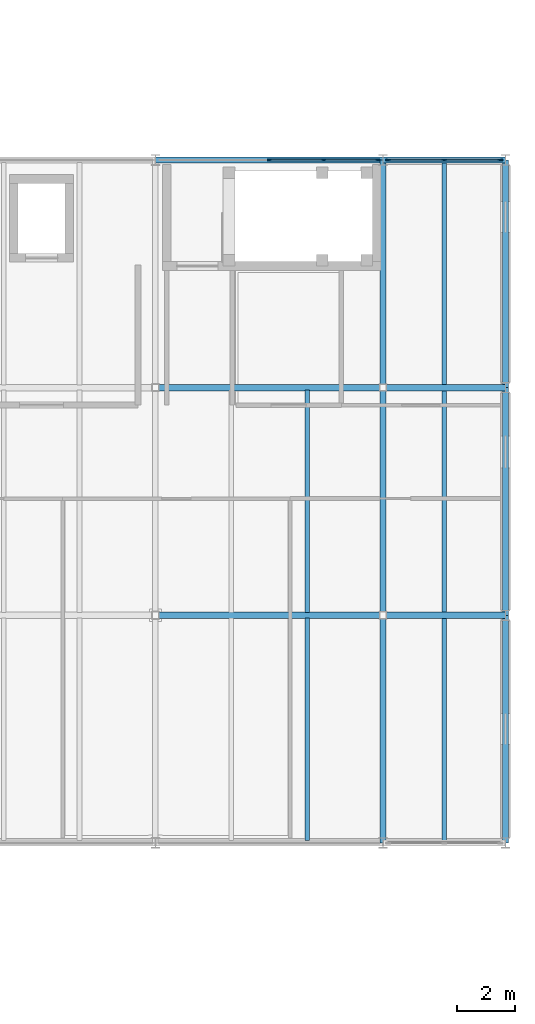
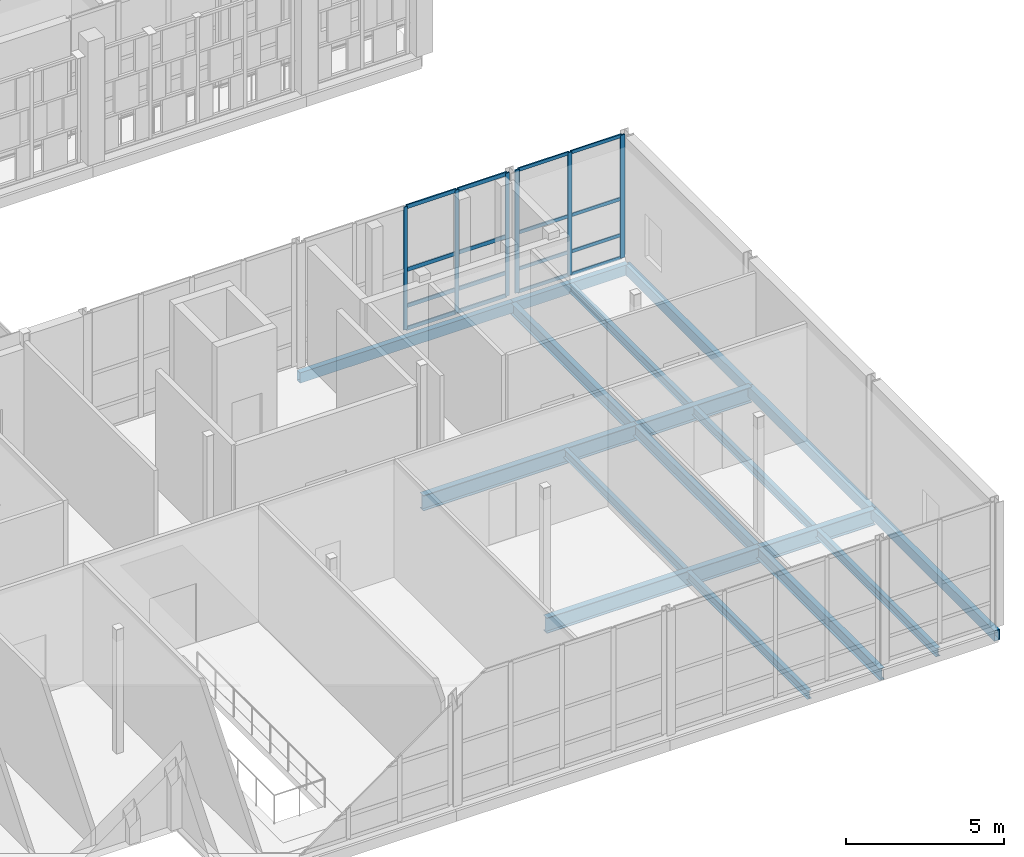
# One storey, part 70 of 138: 22 members, 17 beams, 2 elements without a shape of their own.
"""IFC4 building model written with IfcOpenShell, lengths in metres."""

import ifcopenshell
import ifcopenshell.guid

model = None  # the IFC model being written
_history = None  # IfcOwnerHistory: only IFC2X3 demands one
_inside = {}  # id of a spatial element -> (the spatial element, [elements in it])
_under = {}  # id of a project, library or spatial element -> (it, [spatial elements below it])
_declared = {}  # id of a project -> (the project, [libraries it declares])
_typed = {}  # id of a type object -> (the type object, [elements of that type])
_made_of = {}  # id of a material, layer set ... -> (it, [elements and type objects made of it])


def new_model(schema):
    """Start an empty IFC model of exactly this schema.

    Asked for "IFC4X3", IfcOpenShell would pick the latest addendum, in which some entities
    have other attributes; the version numbers below select the first issue.
    IFC2X3 requires an IfcOwnerHistory on every rooted entity: one is made here for all.
    """
    global model, _history
    if schema == "IFC4X3":
        model = ifcopenshell.file(schema_version=(4, 3, 0, 0))
    else:
        model = ifcopenshell.file(schema=schema)
    _inside.clear()
    _under.clear()
    _declared.clear()
    _typed.clear()
    _made_of.clear()
    _history = None
    if model.schema == "IFC2X3":
        org = make("IfcOrganization", Name="unknown")
        user = make(
            "IfcPersonAndOrganization",
            ThePerson=make("IfcPerson", FamilyName="unknown"),
            TheOrganization=org,
        )
        app = make(
            "IfcApplication",
            ApplicationDeveloper=org,
            Version="unknown",
            ApplicationFullName="unknown",
            ApplicationIdentifier="unknown",
        )
        _history = make(
            "IfcOwnerHistory",
            OwningUser=user,
            OwningApplication=app,
            ChangeAction="ADDED",
            CreationDate=0,
        )
    return model


def make(cls, **values):
    """One entity of the class cls with the attributes given. An attribute that is None is left unset."""
    return model.create_entity(
        cls, **{name: value for name, value in values.items() if value is not None}
    )


def rooted(cls, **values):
    """An entity with a GlobalId (a new one), such as an element, a storey or a relation."""
    return make(cls, GlobalId=ifcopenshell.guid.new(), OwnerHistory=_history, **values)


def si_unit(unit_type, name, prefix=None):
    """IfcSIUnit, for example si_unit("LENGTHUNIT", "METRE", prefix="MILLI")."""
    return make("IfcSIUnit", UnitType=unit_type, Prefix=prefix, Name=name)


def assignment(units):
    """IfcUnitAssignment: the units of a project."""
    return None if units is None else make("IfcUnitAssignment", Units=units)


def point(xyz):
    """IfcCartesianPoint."""
    return None if xyz is None else make("IfcCartesianPoint", Coordinates=xyz)


def direction(xyz):
    """IfcDirection."""
    return None if xyz is None else make("IfcDirection", DirectionRatios=xyz)


def frame(location, z_axis=None, x_axis=None):
    """IfcAxis2Placement3D, a coordinate frame: its origin and axes. An axis left out is left unset."""
    return make(
        "IfcAxis2Placement3D",
        Location=point(location),
        Axis=direction(z_axis),
        RefDirection=direction(x_axis),
    )


def frame_2d(location, x_axis=None):
    """IfcAxis2Placement2D, a coordinate frame in the plane: its origin and x axis."""
    return make(
        "IfcAxis2Placement2D", Location=point(location), RefDirection=direction(x_axis)
    )


def origin():
    """The frame at (0, 0, 0) with its axes left unset."""
    return frame((0.0, 0.0, 0.0))


def origin_2d():
    """The frame at (0, 0) in the plane with its x axis left unset."""
    return frame_2d((0.0, 0.0))


def place(relative_to, where):
    """IfcLocalPlacement: puts the frame where relative to a parent placement (None: the world)."""
    return make(
        "IfcLocalPlacement", PlacementRelTo=relative_to, RelativePlacement=where
    )


def context(
    kind, dimensions, precision=None, world=None, true_north=None, identifier=None
):
    """IfcGeometricRepresentationContext, for example the 3D "Model" context."""
    return make(
        "IfcGeometricRepresentationContext",
        ContextIdentifier=identifier,
        ContextType=kind,
        CoordinateSpaceDimension=dimensions,
        Precision=precision,
        WorldCoordinateSystem=world,
        TrueNorth=true_north,
    )


def subcontext(parent, identifier, kind, view, scale=None):
    """IfcGeometricRepresentationSubContext, for example "Body" below "Model"."""
    return make(
        "IfcGeometricRepresentationSubContext",
        ContextIdentifier=identifier,
        ContextType=kind,
        ParentContext=parent,
        TargetScale=scale,
        TargetView=view,
    )


def project(units=None, contexts=None):
    """IfcProject with its units and contexts."""
    return rooted(
        "IfcProject",
        Name="project",
        RepresentationContexts=contexts,
        UnitsInContext=assignment(units),
    )


def spatial(cls, under=None, at=None, **own):
    """A site, building, storey or space (cls), placed at a placement, below another one or the project."""
    s = rooted(cls, ObjectPlacement=at, **own)
    if under is not None:
        _under.setdefault(under.id(), (under, []))[1].append(s)
    return s


def profile(cls, at=None, kind="AREA", **sizes):
    """A parametric profile (cls). Its sizes go by their IFC names, for example OverallWidth=200.0."""
    return make(cls, ProfileType=kind, Position=at, **sizes)


def rectangle(**sizes):
    """IfcRectangleProfileDef."""
    return profile("IfcRectangleProfileDef", **sizes)


def hollow_rectangle(**sizes):
    """IfcRectangleHollowProfileDef."""
    return profile("IfcRectangleHollowProfileDef", **sizes)


def i_section(**sizes):
    """IfcIShapeProfileDef."""
    return profile("IfcIShapeProfileDef", **sizes)


def extrude(swept, where, along, depth):
    """IfcExtrudedAreaSolid: the profile swept, set in the frame where, extruded along a direction by depth."""
    return make(
        "IfcExtrudedAreaSolid",
        SweptArea=swept,
        Position=where,
        ExtrudedDirection=direction(along),
        Depth=depth,
    )


def shape(context_of_items, identifier, shape_type, items):
    """IfcShapeRepresentation: the items that make up one representation, for example the "Body"."""
    return make(
        "IfcShapeRepresentation",
        ContextOfItems=context_of_items,
        RepresentationIdentifier=identifier,
        RepresentationType=shape_type,
        Items=items,
    )


def material(Name=None, Category=None):
    """IfcMaterial."""
    return make("IfcMaterial", Name=Name, Category=Category)


def layer(
    of_material, thickness, ventilated=None, Name=None, Category=None, Priority=None
):
    """IfcMaterialLayer: one layer of a wall or slab, of a material (None: an air gap)."""
    return make(
        "IfcMaterialLayer",
        Material=of_material,
        LayerThickness=thickness,
        IsVentilated=ventilated,
        Name=Name,
        Category=Category,
        Priority=Priority,
    )


def layer_set(layers, Name=None):
    """IfcMaterialLayerSet."""
    return make("IfcMaterialLayerSet", MaterialLayers=layers, LayerSetName=Name)


def material_profile(
    of_material, cross_section, Name=None, Category=None, Priority=None
):
    """IfcMaterialProfile: a cross section and its material."""
    return make(
        "IfcMaterialProfile",
        Name=Name,
        Material=of_material,
        Profile=cross_section,
        Priority=Priority,
        Category=Category,
    )


def profile_set(profiles, Name=None, composite=None):
    """IfcMaterialProfileSet."""
    return make(
        "IfcMaterialProfileSet",
        Name=Name,
        MaterialProfiles=profiles,
        CompositeProfile=composite,
    )


def made_of(thing, what):
    """Note that an element or type object is made of a material, layer set ...; save() writes the relation."""
    if what is not None:
        _made_of.setdefault(what.id(), (what, []))[1].append(thing)
    return thing


def type_object(cls, material=None, **own):
    """A type object (cls), such as IfcWallType, which elements share."""
    return made_of(rooted(cls, **own), material)


def element(
    cls,
    number,
    at=None,
    inside=None,
    cuts=None,
    type_object=None,
    material=None,
    context=None,
    identifier="Body",
    shape_type=None,
    held_by="IfcProductDefinitionShape",
    body=None,
    shapes=None,
    **own,
):
    """One element of the class cls, such as IfcWall. Its Tag is "e" and its number.

    at: its placement. inside: the storey or other place that contains it. cuts: it is an
    opening in that element (IfcRelVoidsElement). A single representation is given by context,
    identifier, shape_type and body (its items); several are given by shapes. held_by: the class
    of the entity that holds the representations. save() writes the other relations.
    """
    e = rooted(cls, Tag="e%d" % number, ObjectPlacement=at, **own)
    if body is not None:
        shapes = [shape(context, identifier, shape_type, body)]
    if shapes is not None:
        e.Representation = make(held_by, Representations=shapes)
    if inside is not None:
        _inside.setdefault(inside.id(), (inside, []))[1].append(e)
    if cuts is not None:
        rooted(
            "IfcRelVoidsElement", RelatingBuildingElement=cuts, RelatedOpeningElement=e
        )
    if type_object is not None:
        _typed.setdefault(type_object.id(), (type_object, []))[1].append(e)
    return made_of(e, material)


def aggregate(whole, parts):
    """IfcRelAggregates: a whole, such as a stair, and the parts it consists of."""
    return rooted("IfcRelAggregates", RelatingObject=whole, RelatedObjects=parts)


def save(model, path):
    """Write the relations noted so far, then the file.

    IfcRelAggregates (storeys below a building ...), IfcRelContainedInSpatialStructure (elements
    in a storey), IfcRelDefinesByType, IfcRelAssociatesMaterial and IfcRelDeclares: one each for
    every whole, place, type object, material and project.
    """
    for whole, parts in _under.values():
        aggregate(whole, parts)
    for where, things in _inside.values():
        rooted(
            "IfcRelContainedInSpatialStructure",
            RelatedElements=things,
            RelatingStructure=where,
        )
    for kind, things in _typed.values():
        rooted("IfcRelDefinesByType", RelatedObjects=things, RelatingType=kind)
    for what, things in _made_of.values():
        rooted("IfcRelAssociatesMaterial", RelatedObjects=things, RelatingMaterial=what)
    for by, libraries in _declared.values():
        rooted("IfcRelDeclares", RelatingContext=by, RelatedDefinitions=libraries)
    model.write(path)


model = new_model("IFC4")

# Units and contexts
model_context = context("Model", 3, precision=1e-05, world=origin(), true_north=direction((0.0, 1.0)))
body_context = subcontext(model_context, "Body", "Model", "MODEL_VIEW")
ifc_project = project(units=[si_unit("LENGTHUNIT", "METRE"), si_unit("AREAUNIT", "SQUARE_METRE"), si_unit("VOLUMEUNIT", "CUBIC_METRE"), si_unit("PLANEANGLEUNIT", "RADIAN"), si_unit("MASSUNIT", "GRAM", prefix="KILO")], contexts=[model_context])

# Site, building, storey
site_placement = place(None, origin())
site = spatial("IfcSite", under=ifc_project, at=site_placement, CompositionType="ELEMENT")
building_placement = place(site_placement, origin())
building = spatial("IfcBuilding", under=site, at=building_placement, Name="Celorna Specialist Clinic", CompositionType="ELEMENT")
storey_placement = place(building_placement, frame((0.0, 0.0, 4.800048828125)))
storey = spatial("IfcBuildingStorey", under=building, at=storey_placement, Name="L01", CompositionType="ELEMENT", Elevation=4.800048828125)

# Beams
ifc_material_1 = material(Name="Steel S355", Category="steel")
ifc_material_profile_1 = material_profile(ifc_material_1, i_section(OverallWidth=0.219970703125, OverallDepth=0.60009765625, WebThickness=0.011962890625, FlangeThickness=0.01904296875, at=origin_2d()), Name="IPE 600")
ifc_profile_set_1 = profile_set([ifc_material_profile_1], Name="Steel S355")
beam_type_1 = type_object("IfcBeamType", Name="BM-06", PredefinedType="BEAM", material=ifc_profile_set_1)
beam_1_placement = place(storey_placement, frame((156.0, 67.800048828125, -0.56005859375), z_axis=(1.0, 0.0, 0.0), x_axis=(0.0, 1.0, 0.0)))
element("IfcBeam", 1, at=beam_1_placement, inside=storey, type_object=beam_type_1, Name="Primary girder BM-06 #617", PredefinedType="BEAM", context=body_context, shape_type="SweptSolid", body=[
    extrude(i_section(OverallWidth=0.219970703125, OverallDepth=0.60009765625, WebThickness=0.011962890625, FlangeThickness=0.01904296875, at=origin_2d()), origin(), (0.0, 0.0, 1.0), 7.800048828125),
])
beam_2_placement = place(storey_placement, frame((163.800048828125, 67.800048828125, -0.56005859375), z_axis=(1.0, 0.0, 0.0), x_axis=(0.0, 1.0, 0.0)))
element("IfcBeam", 2, at=beam_2_placement, inside=storey, type_object=beam_type_1, Name="Primary girder BM-06 #618", PredefinedType="BEAM", context=body_context, shape_type="SweptSolid", body=[
    extrude(i_section(OverallWidth=0.219970703125, OverallDepth=0.60009765625, WebThickness=0.011962890625, FlangeThickness=0.01904296875, at=origin_2d()), origin(), (0.0, 0.0, 1.0), 4.199951171875),
])
beam_3_placement = place(storey_placement, frame((156.0, 75.60009765625, -0.56005859375), z_axis=(1.0, 0.0, 0.0), x_axis=(0.0, 1.0, 0.0)))
element("IfcBeam", 3, at=beam_3_placement, inside=storey, type_object=beam_type_1, Name="Primary girder BM-06 #622", PredefinedType="BEAM", context=body_context, shape_type="SweptSolid", body=[
    extrude(i_section(OverallWidth=0.219970703125, OverallDepth=0.60009765625, WebThickness=0.011962890625, FlangeThickness=0.01904296875, at=origin_2d()), origin(), (0.0, 0.0, 1.0), 7.800048828125),
])
beam_4_placement = place(storey_placement, frame((163.800048828125, 75.60009765625, -0.56005859375), z_axis=(1.0, 0.0, 0.0), x_axis=(0.0, 1.0, 0.0)))
element("IfcBeam", 4, at=beam_4_placement, inside=storey, type_object=beam_type_1, Name="Primary girder BM-06 #623", PredefinedType="BEAM", context=body_context, shape_type="SweptSolid", body=[
    extrude(i_section(OverallWidth=0.219970703125, OverallDepth=0.60009765625, WebThickness=0.011962890625, FlangeThickness=0.01904296875, at=origin_2d()), origin(), (0.0, 0.0, 1.0), 4.199951171875),
])
ifc_material_profile_2 = material_profile(ifc_material_1, i_section(OverallWidth=0.18994140625, OverallDepth=0.449951171875, WebThickness=0.009521484375, FlangeThickness=0.0146484375, at=origin_2d()), Name="IPE 450")
ifc_profile_set_2 = profile_set([ifc_material_profile_2], Name="Steel S355")
beam_type_2 = type_object("IfcBeamType", Name="BM-09", PredefinedType="BEAM", material=ifc_profile_set_2)
for number, where, z_axis, x_axis, name in (
    (5, (163.800048828125, 60.0, -0.485107421875), (0.0, 1.0, 0.0), (-1.0, 0.0, 0.0), "Transverse girder BM-09 #641"),
    (6, (163.800048828125, 67.800048828125, -0.485107421875), (0.0, 1.0, 0.0), (-1.0, 0.0, 0.0), "Transverse girder BM-09 #642"),
):
    element("IfcBeam", number, at=place(storey_placement, frame(where, z_axis=z_axis, x_axis=x_axis)), inside=storey, type_object=beam_type_2, Name=name, PredefinedType="BEAM", context=body_context, shape_type="SweptSolid", body=[
        extrude(i_section(OverallWidth=0.18994140625, OverallDepth=0.449951171875, WebThickness=0.009521484375, FlangeThickness=0.0146484375, at=origin_2d()), origin(), (0.0, 0.0, 1.0), 7.800048828125),
    ])
beam_5_placement = place(storey_placement, frame((163.800048828125, 75.60009765625, -0.485107421875), z_axis=(0.0, 1.0, 0.0), x_axis=(-1.0, 0.0, 0.0)))
element("IfcBeam", 7, at=beam_5_placement, inside=storey, type_object=beam_type_2, Name="Transverse girder BM-09 #643", PredefinedType="BEAM", context=body_context, shape_type="SweptSolid", body=[
    extrude(i_section(OverallWidth=0.18994140625, OverallDepth=0.449951171875, WebThickness=0.009521484375, FlangeThickness=0.0146484375, at=origin_2d()), origin(), (0.0, 0.0, 1.0), 7.7998046875),
])
ifc_material_profile_3 = material_profile(ifc_material_1, i_section(OverallWidth=0.159912109375, OverallDepth=0.330078125, WebThickness=0.007568359375, FlangeThickness=0.011474609375, at=origin_2d()), Name="IPE 330")
ifc_profile_set_3 = profile_set([ifc_material_profile_3], Name="Steel S355")
beam_type_3 = type_object("IfcBeamType", Name="BM-12", PredefinedType="JOIST", material=ifc_profile_set_3)
for number, where, z_axis, x_axis, name in (
    (8, (161.199951171875, 60.087890625, -0.425048828125), (0.0, 1.0, 0.0), (-1.0, 0.0, 0.0), "Secondary floor joist BM-12 #660"),
    (9, (161.199951171875, 67.887939453125, -0.425048828125), (0.0, 1.0, 0.0), (-1.0, 0.0, 0.0), "Secondary floor joist BM-12 #662"),
    (10, (165.89990234375, 60.087890625, -0.425048828125), (0.0, 1.0, 0.0), (-1.0, 0.0, 0.0), "Secondary floor joist BM-12 #663"),
    (11, (165.89990234375, 67.887939453125, -0.425048828125), (0.0, 1.0, 0.0), (-1.0, 0.0, 0.0), "Secondary floor joist BM-12 #664"),
    (12, (165.89990234375, 75.68798828125, -0.425048828125), (0.0, 1.0, 0.0), (-1.0, 0.0, 0.0), "Secondary floor joist BM-12 #665"),
):
    element("IfcBeam", number, at=place(storey_placement, frame(where, z_axis=z_axis, x_axis=x_axis)), inside=storey, type_object=beam_type_3, Name=name, PredefinedType="JOIST", context=body_context, shape_type="SweptSolid", body=[
        extrude(i_section(OverallWidth=0.159912109375, OverallDepth=0.330078125, WebThickness=0.007568359375, FlangeThickness=0.011474609375, at=origin_2d()), origin(), (0.0, 0.0, 1.0), 7.6240234375),
    ])
ifc_material_profile_4 = material_profile(ifc_material_1, hollow_rectangle(XDim=0.199951171875, YDim=0.39990234375, WallThickness=0.011962890625, at=origin_2d()), Name="RHS 200x400x12")
ifc_profile_set_4 = profile_set([ifc_material_profile_4], Name="Steel S355")
beam_type_4 = type_object("IfcBeamType", Name="BM-15", PredefinedType="SPANDREL", material=ifc_profile_set_4)
beam_6_placement = place(storey_placement, frame((156.0, 83.39990234375, -0.4599609375), z_axis=(1.0, 0.0, 0.0), x_axis=(0.0, 1.0, 0.0)))
element("IfcBeam", 13, at=beam_6_placement, inside=storey, type_object=beam_type_4, Name="Spandrel beam BM-15 #627", PredefinedType="SPANDREL", context=body_context, shape_type="SweptSolid", body=[
    extrude(hollow_rectangle(XDim=0.199951171875, YDim=0.39990234375, WallThickness=0.011962890625, at=origin_2d()), origin(), (0.0, 0.0, 1.0), 7.800048828125),
])
beam_7_placement = place(storey_placement, frame((163.800048828125, 83.39990234375, -0.4599609375), z_axis=(1.0, 0.0, 0.0), x_axis=(0.0, 1.0, 0.0)))
element("IfcBeam", 14, at=beam_7_placement, inside=storey, type_object=beam_type_4, Name="Spandrel beam BM-15 #628", PredefinedType="SPANDREL", context=body_context, shape_type="SweptSolid", body=[
    extrude(hollow_rectangle(XDim=0.199951171875, YDim=0.39990234375, WallThickness=0.011962890625, at=origin_2d()), origin(), (0.0, 0.0, 1.0), 4.199951171875),
])
for number, where, z_axis, x_axis, name in (
    (15, (168.0, 60.0, -0.4599609375), (0.0, 1.0, 0.0), (-1.0, 0.0, 0.0), "Spandrel beam BM-15 #644"),
    (16, (168.0, 67.800048828125, -0.4599609375), (0.0, 1.0, 0.0), (-1.0, 0.0, 0.0), "Spandrel beam BM-15 #645"),
):
    element("IfcBeam", number, at=place(storey_placement, frame(where, z_axis=z_axis, x_axis=x_axis)), inside=storey, type_object=beam_type_4, Name=name, PredefinedType="SPANDREL", context=body_context, shape_type="SweptSolid", body=[
        extrude(hollow_rectangle(XDim=0.199951171875, YDim=0.39990234375, WallThickness=0.011962890625, at=origin_2d()), origin(), (0.0, 0.0, 1.0), 7.800048828125),
    ])
beam_8_placement = place(storey_placement, frame((168.0, 75.60009765625, -0.4599609375), z_axis=(0.0, 1.0, 0.0), x_axis=(-1.0, 0.0, 0.0)))
element("IfcBeam", 17, at=beam_8_placement, inside=storey, type_object=beam_type_4, Name="Spandrel beam BM-15 #646", PredefinedType="SPANDREL", context=body_context, shape_type="SweptSolid", body=[
    extrude(hollow_rectangle(XDim=0.199951171875, YDim=0.39990234375, WallThickness=0.011962890625, at=origin_2d()), origin(), (0.0, 0.0, 1.0), 7.7998046875),
])

# Curtain wall, members
ifc_material_2 = material(Name="Thermally broken aluminium and solar-control glass curtain wall", Category="aluminium")
ifc_layer_1 = layer(ifc_material_2, 0.159912109375, Name="Thermally broken aluminium and solar-control glass curtain wall")
ifc_layer_set_1 = layer_set([ifc_layer_1], Name="Thermally broken aluminium and solar-control glass curtain wall")
curtain_wall_type_1 = type_object("IfcCurtainWallType", Name="CW-43", PredefinedType="NOTDEFINED", material=ifc_layer_set_1)
curtain_wall_1_placement = place(storey_placement, origin())
curtain_wall_1 = element("IfcCurtainWall", 18, at=curtain_wall_1_placement, inside=storey, type_object=curtain_wall_type_1, Name="Curtain wall CW-43 #83", PredefinedType="NOTDEFINED")
ifc_material_3 = material(Name="Anodized aluminium mullion", Category="aluminium")
ifc_material_profile_5 = material_profile(ifc_material_3, rectangle(XDim=0.050048828125, YDim=0.159912109375, at=origin_2d()), Name="ALU MULLION 50x160")
ifc_profile_set_5 = profile_set([ifc_material_profile_5], Name="Anodized aluminium mullion")
member_type_1 = type_object("IfcMemberType", Name="ML-01", PredefinedType="MULLION", material=ifc_profile_set_5)
member_1_placement = place(storey_placement, frame((163.97900390625, 83.39990234375, 0.0), z_axis=(0.0, 0.0, 1.0), x_axis=(0.0, 1.0, 0.0)))
member_1 = element("IfcMember", 19, at=member_1_placement, type_object=member_type_1, Name="CW-43 mullion 1", PredefinedType="MULLION", context=body_context, shape_type="SweptSolid", body=[
    extrude(rectangle(XDim=0.050048828125, YDim=0.159912109375, at=origin_2d()), origin(), (0.0, 0.0, 1.0), 4.75),
])
member_2_placement = place(storey_placement, frame((165.89990234375, 83.39990234375, 0.0), z_axis=(0.0, 0.0, 1.0), x_axis=(0.0, 1.0, 0.0)))
member_2 = element("IfcMember", 20, at=member_2_placement, type_object=member_type_1, Name="CW-43 mullion 2", PredefinedType="MULLION", context=body_context, shape_type="SweptSolid", body=[
    extrude(rectangle(XDim=0.050048828125, YDim=0.159912109375, at=origin_2d()), origin(), (0.0, 0.0, 1.0), 4.75),
])
member_3_placement = place(storey_placement, frame((167.821044921875, 83.39990234375, 0.0), z_axis=(0.0, 0.0, 1.0), x_axis=(0.0, 1.0, 0.0)))
member_3 = element("IfcMember", 21, at=member_3_placement, type_object=member_type_1, Name="CW-43 mullion 3", PredefinedType="MULLION", context=body_context, shape_type="SweptSolid", body=[
    extrude(rectangle(XDim=0.050048828125, YDim=0.159912109375, at=origin_2d()), origin(), (0.0, 0.0, 1.0), 4.75),
])

ifc_layer_2 = layer(ifc_material_2, 0.159912109375, Name="Thermally broken aluminium and solar-control glass curtain wall")
ifc_layer_set_2 = layer_set([ifc_layer_2], Name="Thermally broken aluminium and solar-control glass curtain wall")
curtain_wall_type_2 = type_object("IfcCurtainWallType", Name="CW-40", PredefinedType="NOTDEFINED", material=ifc_layer_set_2)
curtain_wall_2_placement = place(storey_placement, origin())
curtain_wall_2 = element("IfcCurtainWall", 22, at=curtain_wall_2_placement, inside=storey, type_object=curtain_wall_type_2, Name="Curtain wall CW-40 #82", PredefinedType="NOTDEFINED")
ifc_material_profile_6 = material_profile(ifc_material_3, rectangle(XDim=0.050048828125, YDim=0.139892578125, at=origin_2d()), Name="ALU MULLION 50x140")
ifc_profile_set_6 = profile_set([ifc_material_profile_6], Name="Anodized aluminium mullion")
member_type_2 = type_object("IfcMemberType", Name="ML-03", PredefinedType="MULLION", material=ifc_profile_set_6)
member_4_placement = place(storey_placement, frame((159.89990234375, 83.39990234375, 0.0), z_axis=(0.0, 0.0, 1.0), x_axis=(0.0, 1.0, 0.0)))
member_4 = element("IfcMember", 23, at=member_4_placement, type_object=member_type_2, Name="CW-40 mullion 3", PredefinedType="MULLION", context=body_context, shape_type="SweptSolid", body=[
    extrude(rectangle(XDim=0.050048828125, YDim=0.139892578125, at=origin_2d()), origin(), (0.0, 0.0, 1.0), 4.75),
])
member_5_placement = place(storey_placement, frame((161.77294921875, 83.39990234375, 0.0), z_axis=(0.0, 0.0, 1.0), x_axis=(0.0, 1.0, 0.0)))
member_5 = element("IfcMember", 24, at=member_5_placement, type_object=member_type_2, Name="CW-40 mullion 4", PredefinedType="MULLION", context=body_context, shape_type="SweptSolid", body=[
    extrude(rectangle(XDim=0.050048828125, YDim=0.139892578125, at=origin_2d()), origin(), (0.0, 0.0, 1.0), 4.75),
])
member_6_placement = place(storey_placement, frame((163.62109375, 83.39990234375, 0.0), z_axis=(0.0, 0.0, 1.0), x_axis=(0.0, 1.0, 0.0)))
member_6 = element("IfcMember", 25, at=member_6_placement, type_object=member_type_2, Name="CW-40 mullion 5", PredefinedType="MULLION", context=body_context, shape_type="SweptSolid", body=[
    extrude(rectangle(XDim=0.050048828125, YDim=0.139892578125, at=origin_2d()), origin(), (0.0, 0.0, 1.0), 4.75),
])

# Member
ifc_material_4 = material(Name="Anodized aluminium transom", Category="aluminium")
ifc_material_profile_7 = material_profile(ifc_material_4, rectangle(XDim=0.050048828125, YDim=0.1298828125, at=origin_2d()), Name="ALU TRANSOM 50x130")
ifc_profile_set_7 = profile_set([ifc_material_profile_7], Name="Anodized aluminium transom")
member_type_3 = type_object("IfcMemberType", Name="TR-01", PredefinedType="USERDEFINED", material=ifc_profile_set_7)
member_7_placement = place(storey_placement, frame((164.00390625, 83.39990234375, 0.02490234375), z_axis=(1.0, 0.0, 0.0), x_axis=(0.0, 1.0, 0.0)))
member_7 = element("IfcMember", 26, at=member_7_placement, type_object=member_type_3, Name="CW-43 transom 1.1", ObjectType="TRANSOM", PredefinedType="USERDEFINED", context=body_context, shape_type="SweptSolid", body=[
    extrude(rectangle(XDim=0.050048828125, YDim=0.1298828125, at=origin_2d()), origin(), (0.0, 0.0, 1.0), 1.87109375),
])

member_8_placement = place(storey_placement, frame((164.00390625, 83.39990234375, 0.89990234375), z_axis=(1.0, 0.0, 0.0), x_axis=(0.0, 1.0, 0.0)))
member_8 = element("IfcMember", 27, at=member_8_placement, type_object=member_type_3, Name="CW-43 transom 1.2", ObjectType="TRANSOM", PredefinedType="USERDEFINED", context=body_context, shape_type="SweptSolid", body=[
    extrude(rectangle(XDim=0.050048828125, YDim=0.1298828125, at=origin_2d()), origin(), (0.0, 0.0, 1.0), 1.87109375),
])

member_9_placement = place(storey_placement, frame((164.00390625, 83.39990234375, 2.300048828125), z_axis=(1.0, 0.0, 0.0), x_axis=(0.0, 1.0, 0.0)))
member_9 = element("IfcMember", 28, at=member_9_placement, type_object=member_type_3, Name="CW-43 transom 1.3", ObjectType="TRANSOM", PredefinedType="USERDEFINED", context=body_context, shape_type="SweptSolid", body=[
    extrude(rectangle(XDim=0.050048828125, YDim=0.1298828125, at=origin_2d()), origin(), (0.0, 0.0, 1.0), 1.87109375),
])

member_10_placement = place(storey_placement, frame((164.00390625, 83.39990234375, 4.724853515625), z_axis=(1.0, 0.0, 0.0), x_axis=(0.0, 1.0, 0.0)))
member_10 = element("IfcMember", 29, at=member_10_placement, type_object=member_type_3, Name="CW-43 transom 1.4", ObjectType="TRANSOM", PredefinedType="USERDEFINED", context=body_context, shape_type="SweptSolid", body=[
    extrude(rectangle(XDim=0.050048828125, YDim=0.1298828125, at=origin_2d()), origin(), (0.0, 0.0, 1.0), 1.87109375),
])

member_11_placement = place(storey_placement, frame((165.925048828125, 83.39990234375, 0.02490234375), z_axis=(1.0, 0.0, 0.0), x_axis=(0.0, 1.0, 0.0)))
member_11 = element("IfcMember", 30, at=member_11_placement, type_object=member_type_3, Name="CW-43 transom 2.1", ObjectType="TRANSOM", PredefinedType="USERDEFINED", context=body_context, shape_type="SweptSolid", body=[
    extrude(rectangle(XDim=0.050048828125, YDim=0.1298828125, at=origin_2d()), origin(), (0.0, 0.0, 1.0), 1.870849609375),
])

member_12_placement = place(storey_placement, frame((165.925048828125, 83.39990234375, 0.89990234375), z_axis=(1.0, 0.0, 0.0), x_axis=(0.0, 1.0, 0.0)))
member_12 = element("IfcMember", 31, at=member_12_placement, type_object=member_type_3, Name="CW-43 transom 2.2", ObjectType="TRANSOM", PredefinedType="USERDEFINED", context=body_context, shape_type="SweptSolid", body=[
    extrude(rectangle(XDim=0.050048828125, YDim=0.1298828125, at=origin_2d()), origin(), (0.0, 0.0, 1.0), 1.870849609375),
])

member_13_placement = place(storey_placement, frame((165.925048828125, 83.39990234375, 2.300048828125), z_axis=(1.0, 0.0, 0.0), x_axis=(0.0, 1.0, 0.0)))
member_13 = element("IfcMember", 32, at=member_13_placement, type_object=member_type_3, Name="CW-43 transom 2.3", ObjectType="TRANSOM", PredefinedType="USERDEFINED", context=body_context, shape_type="SweptSolid", body=[
    extrude(rectangle(XDim=0.050048828125, YDim=0.1298828125, at=origin_2d()), origin(), (0.0, 0.0, 1.0), 1.870849609375),
])

member_14_placement = place(storey_placement, frame((165.925048828125, 83.39990234375, 4.724853515625), z_axis=(1.0, 0.0, 0.0), x_axis=(0.0, 1.0, 0.0)))
member_14 = element("IfcMember", 33, at=member_14_placement, type_object=member_type_3, Name="CW-43 transom 2.4", ObjectType="TRANSOM", PredefinedType="USERDEFINED", context=body_context, shape_type="SweptSolid", body=[
    extrude(rectangle(XDim=0.050048828125, YDim=0.1298828125, at=origin_2d()), origin(), (0.0, 0.0, 1.0), 1.870849609375),
])

aggregate(curtain_wall_1, [member_1, member_2, member_3, member_7, member_8, member_9, member_10, member_11, member_12, member_13, member_14])

ifc_material_profile_8 = material_profile(ifc_material_4, rectangle(XDim=0.050048828125, YDim=0.14990234375, at=origin_2d()), Name="ALU TRANSOM 50x150")
ifc_profile_set_8 = profile_set([ifc_material_profile_8], Name="Anodized aluminium transom")
member_type_4 = type_object("IfcMemberType", Name="TR-02", PredefinedType="USERDEFINED", material=ifc_profile_set_8)
member_15_placement = place(storey_placement, frame((159.925048828125, 83.39990234375, 0.02490234375), z_axis=(1.0, 0.0, 0.0), x_axis=(0.0, 1.0, 0.0)))
member_15 = element("IfcMember", 34, at=member_15_placement, type_object=member_type_4, Name="CW-40 transom 3.1", ObjectType="TRANSOM", PredefinedType="USERDEFINED", context=body_context, shape_type="SweptSolid", body=[
    extrude(rectangle(XDim=0.050048828125, YDim=0.14990234375, at=origin_2d()), origin(), (0.0, 0.0, 1.0), 1.822998046875),
])

member_16_placement = place(storey_placement, frame((159.925048828125, 83.39990234375, 0.89990234375), z_axis=(1.0, 0.0, 0.0), x_axis=(0.0, 1.0, 0.0)))
member_16 = element("IfcMember", 35, at=member_16_placement, type_object=member_type_4, Name="CW-40 transom 3.2", ObjectType="TRANSOM", PredefinedType="USERDEFINED", context=body_context, shape_type="SweptSolid", body=[
    extrude(rectangle(XDim=0.050048828125, YDim=0.14990234375, at=origin_2d()), origin(), (0.0, 0.0, 1.0), 1.822998046875),
])

member_17_placement = place(storey_placement, frame((159.925048828125, 83.39990234375, 2.300048828125), z_axis=(1.0, 0.0, 0.0), x_axis=(0.0, 1.0, 0.0)))
member_17 = element("IfcMember", 36, at=member_17_placement, type_object=member_type_4, Name="CW-40 transom 3.3", ObjectType="TRANSOM", PredefinedType="USERDEFINED", context=body_context, shape_type="SweptSolid", body=[
    extrude(rectangle(XDim=0.050048828125, YDim=0.14990234375, at=origin_2d()), origin(), (0.0, 0.0, 1.0), 1.822998046875),
])

member_18_placement = place(storey_placement, frame((159.925048828125, 83.39990234375, 4.724853515625), z_axis=(1.0, 0.0, 0.0), x_axis=(0.0, 1.0, 0.0)))
member_18 = element("IfcMember", 37, at=member_18_placement, type_object=member_type_4, Name="CW-40 transom 3.4", ObjectType="TRANSOM", PredefinedType="USERDEFINED", context=body_context, shape_type="SweptSolid", body=[
    extrude(rectangle(XDim=0.050048828125, YDim=0.14990234375, at=origin_2d()), origin(), (0.0, 0.0, 1.0), 1.822998046875),
])

member_19_placement = place(storey_placement, frame((161.798095703125, 83.39990234375, 0.02490234375), z_axis=(1.0, 0.0, 0.0), x_axis=(0.0, 1.0, 0.0)))
member_19 = element("IfcMember", 38, at=member_19_placement, type_object=member_type_4, Name="CW-40 transom 4.1", ObjectType="TRANSOM", PredefinedType="USERDEFINED", context=body_context, shape_type="SweptSolid", body=[
    extrude(rectangle(XDim=0.050048828125, YDim=0.14990234375, at=origin_2d()), origin(), (0.0, 0.0, 1.0), 1.7978515625),
])

member_20_placement = place(storey_placement, frame((161.798095703125, 83.39990234375, 0.89990234375), z_axis=(1.0, 0.0, 0.0), x_axis=(0.0, 1.0, 0.0)))
member_20 = element("IfcMember", 39, at=member_20_placement, type_object=member_type_4, Name="CW-40 transom 4.2", ObjectType="TRANSOM", PredefinedType="USERDEFINED", context=body_context, shape_type="SweptSolid", body=[
    extrude(rectangle(XDim=0.050048828125, YDim=0.14990234375, at=origin_2d()), origin(), (0.0, 0.0, 1.0), 1.7978515625),
])

member_21_placement = place(storey_placement, frame((161.798095703125, 83.39990234375, 2.300048828125), z_axis=(1.0, 0.0, 0.0), x_axis=(0.0, 1.0, 0.0)))
member_21 = element("IfcMember", 40, at=member_21_placement, type_object=member_type_4, Name="CW-40 transom 4.3", ObjectType="TRANSOM", PredefinedType="USERDEFINED", context=body_context, shape_type="SweptSolid", body=[
    extrude(rectangle(XDim=0.050048828125, YDim=0.14990234375, at=origin_2d()), origin(), (0.0, 0.0, 1.0), 1.7978515625),
])

member_22_placement = place(storey_placement, frame((161.798095703125, 83.39990234375, 4.724853515625), z_axis=(1.0, 0.0, 0.0), x_axis=(0.0, 1.0, 0.0)))
member_22 = element("IfcMember", 41, at=member_22_placement, type_object=member_type_4, Name="CW-40 transom 4.4", ObjectType="TRANSOM", PredefinedType="USERDEFINED", context=body_context, shape_type="SweptSolid", body=[
    extrude(rectangle(XDim=0.050048828125, YDim=0.14990234375, at=origin_2d()), origin(), (0.0, 0.0, 1.0), 1.7978515625),
])

aggregate(curtain_wall_2, [member_4, member_5, member_6, member_15, member_16, member_17, member_18, member_19, member_20, member_21, member_22])

save(model, "model.ifc")
